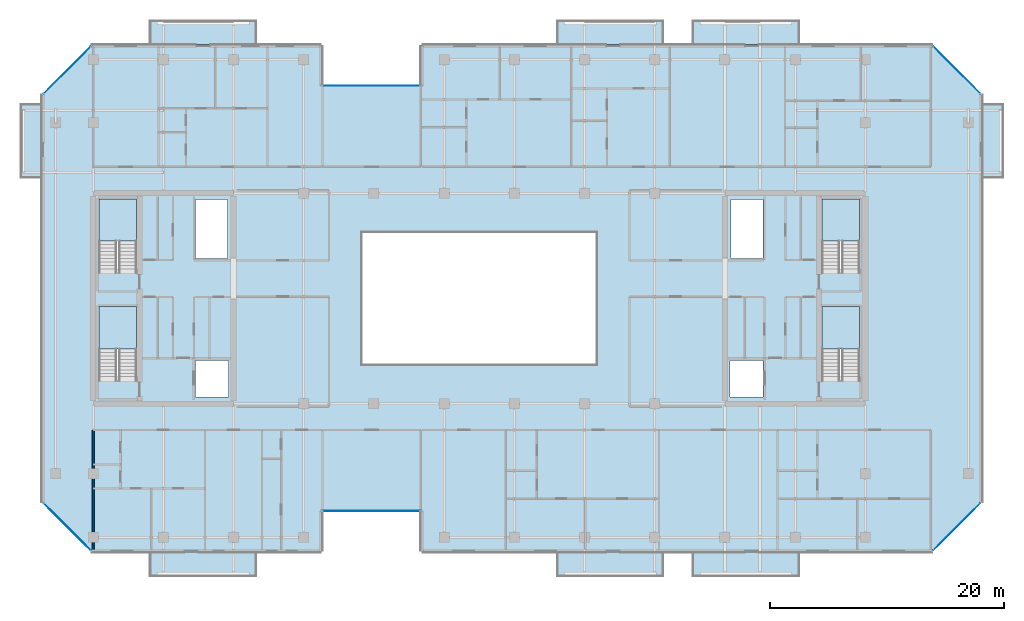
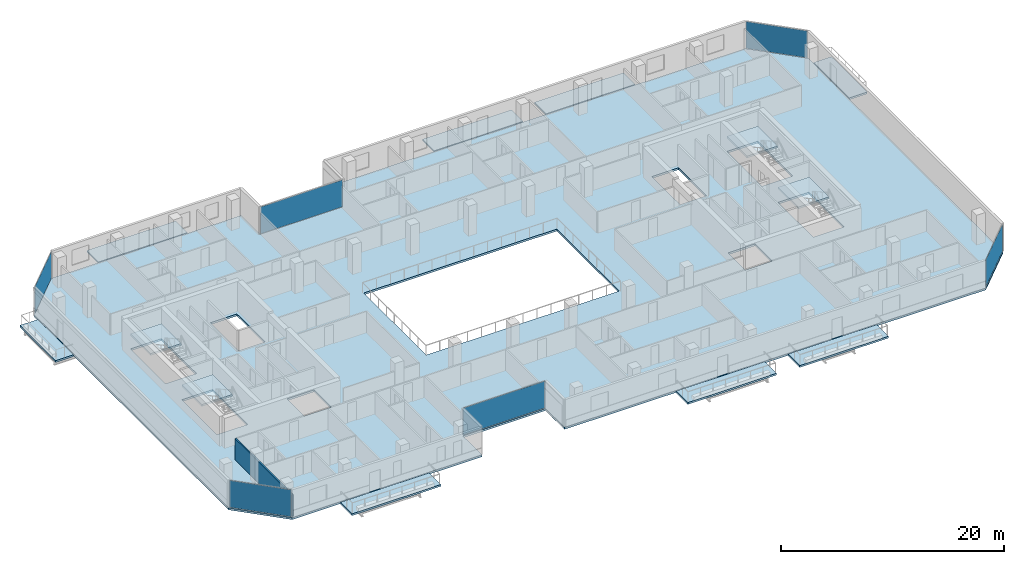
# One storey, part 18 of 29: 13 slabs, 6 plates, 1 wall, 10 elements without a shape of their own.
"""IFC4 building model written with IfcOpenShell, lengths in metres."""

from ifc_helpers import new_model, si_unit, direction, frame, frame_2d, origin, origin_2d, place, context, subcontext, project, spatial, polyline, rectangle, outline, extrude, material, layer, layer_set, type_object, element, aggregate, save


model = new_model("IFC4")

# Units and contexts
model_context = context("Model", 3, precision=1e-05, world=origin(), true_north=direction((0.0, 1.0)))
body_context = subcontext(model_context, "Body", "Model", "MODEL_VIEW")
ifc_project = project(units=[si_unit("LENGTHUNIT", "METRE"), si_unit("AREAUNIT", "SQUARE_METRE"), si_unit("VOLUMEUNIT", "CUBIC_METRE"), si_unit("PLANEANGLEUNIT", "RADIAN"), si_unit("MASSUNIT", "GRAM", prefix="KILO")], contexts=[model_context])

# Site, building, storey
site_placement = place(None, origin())
site = spatial("IfcSite", under=ifc_project, at=site_placement, CompositionType="ELEMENT")
building_placement = place(site_placement, origin())
building = spatial("IfcBuilding", under=site, at=building_placement, Name="Tanjung Sevakor Pilgrim Tower", CompositionType="ELEMENT")
storey_placement = place(building_placement, frame((0.0, 0.0, 151.800048828125)))
storey = spatial("IfcBuildingStorey", under=building, at=storey_placement, Name="L42", CompositionType="ELEMENT", Elevation=151.800048828125)

# Slabs
ifc_material_1 = material(Name="Concrete C40/50", Category="concrete")
ifc_layer_1 = layer(ifc_material_1, 0.199951171875)
ifc_layer_set_1 = layer_set([ifc_layer_1], Name="SL-BAL-200")
slab_type_1 = type_object("IfcSlabType", Name="SL-BAL-200", PredefinedType="FLOOR", material=ifc_layer_set_1)
slab_1_placement = place(storey_placement, frame((0.0, 0.0, -0.199951171875)))
element("IfcSlab", 1, at=slab_1_placement, inside=storey, type_object=slab_type_1, Name="L42 Planted Loggia Balcony MAIN-S1", PredefinedType="FLOOR", context=body_context, shape_type="SweptSolid", body=[
    extrude(outline(polyline([(28.800048828125, 9.800048828125), (38.0, 9.800048828125), (38.0, 11.89990234375), (28.800048828125, 11.89990234375), (28.800048828125, 9.800048828125)])), origin(), (0.0, 0.0, 1.0), 0.199951171875),
])
slab_2_placement = place(storey_placement, frame((0.0, 0.0, -0.199951171875)))
element("IfcSlab", 2, at=slab_2_placement, inside=storey, type_object=slab_type_1, Name="L42 Planted Loggia Balcony MAIN-N1", PredefinedType="FLOOR", context=body_context, shape_type="SweptSolid", body=[
    extrude(outline(polyline([(28.800048828125, 55.300048828125), (38.0, 55.300048828125), (38.0, 57.39990234375), (28.800048828125, 57.39990234375), (28.800048828125, 55.300048828125)])), origin(), (0.0, 0.0, 1.0), 0.199951171875),
])
slab_3_placement = place(storey_placement, frame((0.0, 0.0, -0.199951171875)))
element("IfcSlab", 3, at=slab_3_placement, inside=storey, type_object=slab_type_1, Name="L42 Planted Loggia Balcony MAIN-S2", PredefinedType="FLOOR", context=body_context, shape_type="SweptSolid", body=[
    extrude(outline(polyline([(63.60009765625, 9.800048828125), (72.800048828125, 9.800048828125), (72.800048828125, 11.89990234375), (63.60009765625, 11.89990234375), (63.60009765625, 9.800048828125)])), origin(), (0.0, 0.0, 1.0), 0.199951171875),
])
slab_4_placement = place(storey_placement, frame((0.0, 0.0, -0.199951171875)))
element("IfcSlab", 4, at=slab_4_placement, inside=storey, type_object=slab_type_1, Name="L42 Planted Loggia Balcony MAIN-N2", PredefinedType="FLOOR", context=body_context, shape_type="SweptSolid", body=[
    extrude(outline(polyline([(63.60009765625, 55.300048828125), (72.800048828125, 55.300048828125), (72.800048828125, 57.39990234375), (63.60009765625, 57.39990234375), (63.60009765625, 55.300048828125)])), origin(), (0.0, 0.0, 1.0), 0.199951171875),
])
slab_5_placement = place(storey_placement, frame((0.0, 0.0, -0.199951171875)))
element("IfcSlab", 5, at=slab_5_placement, inside=storey, type_object=slab_type_1, Name="L42 Planted Loggia Balcony MAIN-S3", PredefinedType="FLOOR", context=body_context, shape_type="SweptSolid", body=[
    extrude(outline(polyline([(75.199951171875, 9.800048828125), (84.39990234375, 9.800048828125), (84.39990234375, 11.89990234375), (75.199951171875, 11.89990234375), (75.199951171875, 9.800048828125)])), origin(), (0.0, 0.0, 1.0), 0.199951171875),
])
slab_6_placement = place(storey_placement, frame((0.0, 0.0, -0.199951171875)))
element("IfcSlab", 6, at=slab_6_placement, inside=storey, type_object=slab_type_1, Name="L42 Planted Loggia Balcony MAIN-N3", PredefinedType="FLOOR", context=body_context, shape_type="SweptSolid", body=[
    extrude(outline(polyline([(75.199951171875, 55.300048828125), (84.39990234375, 55.300048828125), (84.39990234375, 57.39990234375), (75.199951171875, 57.39990234375), (75.199951171875, 55.300048828125)])), origin(), (0.0, 0.0, 1.0), 0.199951171875),
])
slab_7_placement = place(storey_placement, frame((0.0, 0.0, -0.199951171875)))
element("IfcSlab", 7, at=slab_7_placement, inside=storey, type_object=slab_type_1, Name="L42 Planted Loggia Balcony MAIN-W1", PredefinedType="FLOOR", context=body_context, shape_type="SweptSolid", body=[
    extrude(outline(polyline([(17.75, 43.85009765625), (19.60009765625, 43.85009765625), (19.60009765625, 50.25), (17.75, 50.25), (17.75, 43.85009765625)])), origin(), (0.0, 0.0, 1.0), 0.199951171875),
])
slab_8_placement = place(storey_placement, frame((0.0, 0.0, -0.199951171875)))
element("IfcSlab", 8, at=slab_8_placement, inside=storey, type_object=slab_type_1, Name="L42 Planted Loggia Balcony MAIN-E1", PredefinedType="FLOOR", context=body_context, shape_type="SweptSolid", body=[
    extrude(outline(polyline([(100.0, 43.85009765625), (101.85009765625, 43.85009765625), (101.85009765625, 50.25), (100.0, 50.25), (100.0, 43.85009765625)])), origin(), (0.0, 0.0, 1.0), 0.199951171875),
])

# Stair, slab
ifc_material_2 = material(Name="Concrete C40/50", Category="concrete")
stair_type = type_object("IfcStairType", Name="STAIR-ST-CR150", PredefinedType="HALF_TURN_STAIR", material=ifc_material_2)
stair_1_placement = place(storey_placement, origin())
stair_1 = element("IfcStair", 9, at=stair_1_placement, inside=storey, type_object=stair_type, Name="L42 West Core Exit Stair 1", PredefinedType="HALF_TURN_STAIR")
ifc_material_3 = material(Name="Concrete C40/50", Category="concrete")
ifc_layer_2 = layer(ifc_material_3, 0.199951171875)
ifc_layer_set_2 = layer_set([ifc_layer_2], Name="SL-LAND-200")
slab_type_2 = type_object("IfcSlabType", Name="SL-LAND-200", PredefinedType="LANDING", material=ifc_layer_set_2)
slab_9_placement = place(storey_placement, frame((0.0, 0.0, 1.449951171875)))
slab_9 = element("IfcSlab", 10, at=slab_9_placement, type_object=slab_type_2, Name="TS-W1 landing 1", PredefinedType="LANDING", context=body_context, shape_type="SweptSolid", body=[
    extrude(outline(polyline([(27.699951171875, 29.300048828125), (27.699951171875, 32.89990234375), (24.5, 32.89990234375), (24.5, 29.300048828125), (27.699951171875, 29.300048828125)])), origin(), (0.0, 0.0, 1.0), 0.199951171875),
])
aggregate(stair_1, [slab_9])

stair_2_placement = place(storey_placement, origin())
stair_2 = element("IfcStair", 11, at=stair_2_placement, inside=storey, type_object=stair_type, Name="L42 West Core Exit Stair 2", PredefinedType="HALF_TURN_STAIR")
slab_10_placement = place(storey_placement, frame((0.0, 0.0, 1.449951171875)))
slab_10 = element("IfcSlab", 12, at=slab_10_placement, type_object=slab_type_2, Name="TS-W2 landing 1", PredefinedType="LANDING", context=body_context, shape_type="SweptSolid", body=[
    extrude(outline(polyline([(27.699951171875, 38.5), (27.699951171875, 42.10009765625), (24.5, 42.10009765625), (24.5, 38.5), (27.699951171875, 38.5)])), origin(), (0.0, 0.0, 1.0), 0.199951171875),
])
aggregate(stair_2, [slab_10])

stair_3_placement = place(storey_placement, origin())
stair_3 = element("IfcStair", 13, at=stair_3_placement, inside=storey, type_object=stair_type, Name="L42 East Core Exit Stair 1", PredefinedType="HALF_TURN_STAIR")
slab_11_placement = place(storey_placement, frame((0.0, 0.0, 1.449951171875)))
slab_11 = element("IfcSlab", 14, at=slab_11_placement, type_object=slab_type_2, Name="TS-E1 landing 1", PredefinedType="LANDING", context=body_context, shape_type="SweptSolid", body=[
    extrude(outline(polyline([(89.5, 29.300048828125), (89.5, 32.89990234375), (86.300048828125, 32.89990234375), (86.300048828125, 29.300048828125), (89.5, 29.300048828125)])), origin(), (0.0, 0.0, 1.0), 0.199951171875),
])
aggregate(stair_3, [slab_11])

stair_4_placement = place(storey_placement, origin())
stair_4 = element("IfcStair", 15, at=stair_4_placement, inside=storey, type_object=stair_type, Name="L42 East Core Exit Stair 2", PredefinedType="HALF_TURN_STAIR")
slab_12_placement = place(storey_placement, frame((0.0, 0.0, 1.449951171875)))
slab_12 = element("IfcSlab", 16, at=slab_12_placement, type_object=slab_type_2, Name="TS-E2 landing 1", PredefinedType="LANDING", context=body_context, shape_type="SweptSolid", body=[
    extrude(outline(polyline([(89.5, 38.5), (89.5, 42.10009765625), (86.300048828125, 42.10009765625), (86.300048828125, 38.5), (89.5, 38.5)])), origin(), (0.0, 0.0, 1.0), 0.199951171875),
])
aggregate(stair_4, [slab_12])

# Slab
ifc_material_4 = material(Name="Concrete C40/50", Category="concrete")
ifc_layer_3 = layer(ifc_material_4, 0.219970703125)
ifc_layer_set_3 = layer_set([ifc_layer_3], Name="SL-TWR-220")
slab_type_3 = type_object("IfcSlabType", Name="SL-TWR-220", PredefinedType="FLOOR", material=ifc_layer_set_3)
slab_13_placement = place(storey_placement, frame((0.0, 0.0, -0.219970703125)))
element("IfcSlab", 17, at=slab_13_placement, inside=storey, type_object=slab_type_3, Name="L42 Floor Slab MAIN", PredefinedType="FLOOR", context=body_context, shape_type="SweptSolid", body=[
    extrude(outline(polyline([(23.846923828125, 11.97998046875), (43.52001953125, 11.97998046875), (43.52001953125, 15.3798828125), (52.080078125, 15.3798828125), (52.080078125, 11.97998046875), (95.753173828125, 11.97998046875), (99.919921875, 16.14697265625), (99.919921875, 51.052978515625), (95.753173828125, 55.219970703125), (52.080078125, 55.219970703125), (52.080078125, 51.820068359375), (43.52001953125, 51.820068359375), (43.52001953125, 55.219970703125), (23.846923828125, 55.219970703125), (19.679931640625, 51.052978515625), (19.679931640625, 16.14697265625), (23.846923828125, 11.97998046875)]), holes=[polyline([(27.699951171875, 26.60009765625), (27.699951171875, 32.89990234375), (24.5, 32.89990234375), (24.5, 26.60009765625), (27.699951171875, 26.60009765625)]), polyline([(27.699951171875, 35.800048828125), (27.699951171875, 42.10009765625), (24.5, 42.10009765625), (24.5, 35.800048828125), (27.699951171875, 35.800048828125)]), polyline([(89.5, 26.60009765625), (89.5, 32.89990234375), (86.300048828125, 32.89990234375), (86.300048828125, 26.60009765625), (89.5, 26.60009765625)]), polyline([(89.5, 35.800048828125), (89.5, 42.10009765625), (86.300048828125, 42.10009765625), (86.300048828125, 35.800048828125), (89.5, 35.800048828125)]), polyline([(32.75, 25.199951171875), (35.550048828125, 25.199951171875), (35.550048828125, 28.300048828125), (32.75, 28.300048828125), (32.75, 25.199951171875)]), polyline([(32.75, 37.0), (35.5, 37.0), (35.5, 42.050048828125), (32.75, 42.050048828125), (32.75, 37.0)]), polyline([(78.449951171875, 25.199951171875), (81.25, 25.199951171875), (81.25, 28.300048828125), (78.449951171875, 28.300048828125), (78.449951171875, 25.199951171875)]), polyline([(78.5, 37.0), (81.25, 37.0), (81.25, 42.050048828125), (78.5, 42.050048828125), (78.5, 37.0)]), polyline([(47.0, 28.0), (67.0, 28.0), (67.0, 39.199951171875), (47.0, 39.199951171875), (47.0, 28.0)])]), origin(), (0.0, 0.0, 1.0), 0.219970703125),
])

# Curtain wall, plate
ifc_material_5 = material(Name="Aluminium 6063-T6 and Low-E Glass", Category="aluminium")
ifc_layer_4 = layer(ifc_material_5, 0.179931640625)
ifc_layer_set_4 = layer_set([ifc_layer_4], Name="CW-SYS-CLEFT")
curtain_wall_type_1 = type_object("IfcCurtainWallType", Name="CW-SYS-CLEFT", PredefinedType="NOTDEFINED", material=ifc_layer_set_4)
curtain_wall_1_placement = place(storey_placement, origin())
curtain_wall_1 = element("IfcCurtainWall", 18, at=curtain_wall_1_placement, inside=storey, type_object=curtain_wall_type_1, Name="L42 Curtain Wall CW-CLF-L42-2", PredefinedType="NOTDEFINED")
ifc_material_6 = material(Name="Laminated Low-E Double Glazing", Category="glass")
ifc_layer_5 = layer(ifc_material_6, 0.028076171875)
ifc_layer_set_5 = layer_set([ifc_layer_5], Name="TYPE-CWP-GLZ1")
plate_type = type_object("IfcPlateType", Name="TYPE-CWP-GLZ1", PredefinedType="CURTAIN_PANEL", material=ifc_layer_set_5)
plate_1_placement = place(storey_placement, frame((47.800048828125, 15.425048828125, 0.06494140625), z_axis=(0.0, 0.0, 1.0), x_axis=(1.0, 0.0, 0.0)))
plate_1 = element("IfcPlate", 19, at=plate_1_placement, type_object=plate_type, Name="CW-CLF panel 1.1", PredefinedType="CURTAIN_PANEL", context=body_context, shape_type="SweptSolid", body=[
    extrude(rectangle(XDim=8.5, YDim=0.028076171875, at=origin_2d()), origin(), (0.0, 0.0, 1.0), 2.949951171875),
])
aggregate(curtain_wall_1, [plate_1])

ifc_material_7 = material(Name="Aluminium 6063-T6 and Low-E Glass", Category="aluminium")
ifc_layer_6 = layer(ifc_material_7, 0.179931640625)
ifc_layer_set_6 = layer_set([ifc_layer_6], Name="CW-SYS-CHAM")
curtain_wall_type_2 = type_object("IfcCurtainWallType", Name="CW-SYS-CHAM", PredefinedType="NOTDEFINED", material=ifc_layer_set_6)
curtain_wall_2_placement = place(storey_placement, origin())
curtain_wall_2 = element("IfcCurtainWall", 20, at=curtain_wall_2_placement, inside=storey, type_object=curtain_wall_type_2, Name="L42 Curtain Wall CW-CHM-L42-MAIN-5", PredefinedType="NOTDEFINED")
plate_2_placement = place(storey_placement, frame((97.8115234375, 14.08837890625, 0.06494140625), z_axis=(0.0, 0.0, 1.0), x_axis=(0.707106781187, 0.707106781187, 0.0)))
plate_2 = element("IfcPlate", 21, at=plate_2_placement, type_object=plate_type, Name="CW-CHM panel 1.1", PredefinedType="CURTAIN_PANEL", context=body_context, shape_type="SweptSolid", body=[
    extrude(rectangle(XDim=5.7060546875, YDim=0.028076171875, at=origin_2d()), origin(), (0.0, 0.0, 1.0), 2.949951171875),
])
aggregate(curtain_wall_2, [plate_2])

curtain_wall_3_placement = place(storey_placement, origin())
curtain_wall_3 = element("IfcCurtainWall", 22, at=curtain_wall_3_placement, inside=storey, type_object=curtain_wall_type_2, Name="L42 Curtain Wall CW-CHM-L42-MAIN-7", PredefinedType="NOTDEFINED")
plate_3_placement = place(storey_placement, frame((97.8115234375, 53.111572265625, 0.06494140625), z_axis=(0.0, 0.0, 1.0), x_axis=(-0.707106781187, 0.707106781187, 0.0)))
plate_3 = element("IfcPlate", 23, at=plate_3_placement, type_object=plate_type, Name="CW-CHM panel 1.1", PredefinedType="CURTAIN_PANEL", context=body_context, shape_type="SweptSolid", body=[
    extrude(rectangle(XDim=5.7060546875, YDim=0.028076171875, at=origin_2d()), origin(), (0.0, 0.0, 1.0), 2.949951171875),
])
aggregate(curtain_wall_3, [plate_3])

curtain_wall_4_placement = place(storey_placement, origin())
curtain_wall_4 = element("IfcCurtainWall", 24, at=curtain_wall_4_placement, inside=storey, type_object=curtain_wall_type_1, Name="L42 Curtain Wall CW-CLF-L42-10", PredefinedType="NOTDEFINED")
plate_4_placement = place(storey_placement, frame((47.800048828125, 51.77490234375, 0.06494140625), z_axis=(0.0, 0.0, 1.0), x_axis=(-1.0, 0.0, 0.0)))
plate_4 = element("IfcPlate", 25, at=plate_4_placement, type_object=plate_type, Name="CW-CLF panel 1.1", PredefinedType="CURTAIN_PANEL", context=body_context, shape_type="SweptSolid", body=[
    extrude(rectangle(XDim=8.5, YDim=0.028076171875, at=origin_2d()), origin(), (0.0, 0.0, 1.0), 2.949951171875),
])
aggregate(curtain_wall_4, [plate_4])

curtain_wall_5_placement = place(storey_placement, origin())
curtain_wall_5 = element("IfcCurtainWall", 26, at=curtain_wall_5_placement, inside=storey, type_object=curtain_wall_type_2, Name="L42 Curtain Wall CW-CHM-L42-MAIN-13", PredefinedType="NOTDEFINED")
plate_5_placement = place(storey_placement, frame((21.788330078125, 53.111572265625, 0.06494140625), z_axis=(0.0, 0.0, 1.0), x_axis=(-0.707106781187, -0.707106781187, 0.0)))
plate_5 = element("IfcPlate", 27, at=plate_5_placement, type_object=plate_type, Name="CW-CHM panel 1.1", PredefinedType="CURTAIN_PANEL", context=body_context, shape_type="SweptSolid", body=[
    extrude(rectangle(XDim=5.7060546875, YDim=0.028076171875, at=origin_2d()), origin(), (0.0, 0.0, 1.0), 2.949951171875),
])
aggregate(curtain_wall_5, [plate_5])

curtain_wall_6_placement = place(storey_placement, origin())
curtain_wall_6 = element("IfcCurtainWall", 28, at=curtain_wall_6_placement, inside=storey, type_object=curtain_wall_type_2, Name="L42 Curtain Wall CW-CHM-L42-MAIN-15", PredefinedType="NOTDEFINED")
plate_6_placement = place(storey_placement, frame((21.788330078125, 14.08837890625, 0.06494140625), z_axis=(0.0, 0.0, 1.0), x_axis=(0.707106781187, -0.707106781187, 0.0)))
plate_6 = element("IfcPlate", 29, at=plate_6_placement, type_object=plate_type, Name="CW-CHM panel 1.1", PredefinedType="CURTAIN_PANEL", context=body_context, shape_type="SweptSolid", body=[
    extrude(rectangle(XDim=5.7060546875, YDim=0.028076171875, at=origin_2d()), origin(), (0.0, 0.0, 1.0), 2.949951171875),
])
aggregate(curtain_wall_6, [plate_6])

# Wall
ifc_material_8 = material(Name="Concrete C40/50", Category="concrete")
ifc_layer_7 = layer(ifc_material_8, 0.14990234375)
ifc_layer_set_7 = layer_set([ifc_layer_7], Name="WT-COMP-150")
wall_type = type_object("IfcWallType", Name="WT-COMP-150", PredefinedType="SOLIDWALL", material=ifc_layer_set_7)
wall_placement = place(storey_placement, frame((24.0, 12.14990234375, 0.0), z_axis=(0.0, 0.0, 1.0), x_axis=(0.0, 1.0, 0.0)))
element("IfcWall", 30, at=wall_placement, inside=storey, type_object=wall_type, Name="L42 Partition IW-L42-051", PredefinedType="SOLIDWALL", context=body_context, shape_type="SweptSolid", body=[
    extrude(rectangle(XDim=10.2001953125, YDim=0.14990234375, at=frame_2d((5.10009765625, 0.0))), origin(), (0.0, 0.0, 1.0), 2.35009765625),
])

save(model, "model.ifc")
